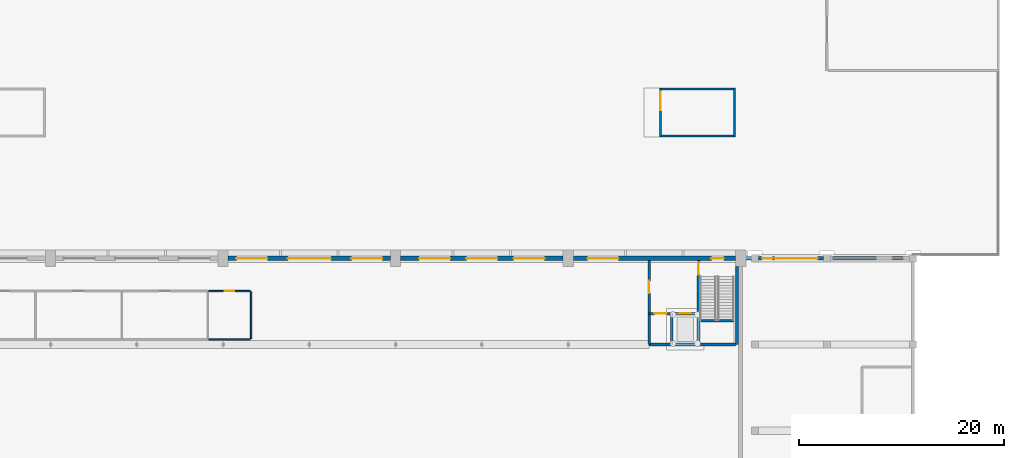
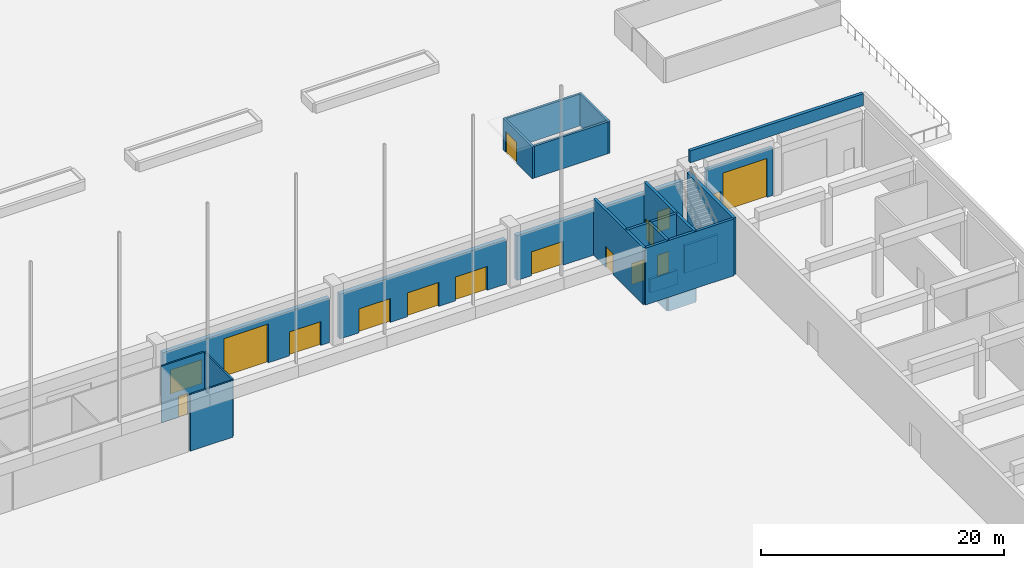
# One storey, part 122 of 210: 23 walls, 16 doors, 16 openings.
"""IFC4 building model written with IfcOpenShell, lengths in metres."""

from ifc_helpers import new_model, si_unit, direction, frame, frame_2d, origin, place, context, subcontext, project, spatial, rectangle, extrude, material, layer, layer_set, type_object, element, fill, save


model = new_model("IFC4")

# Units and contexts
model_context = context("Model", 3, precision=1e-05, world=origin(), true_north=direction((0.0, 1.0)))
body_context = subcontext(model_context, "Body", "Model", "MODEL_VIEW")
ifc_project = project(units=[si_unit("LENGTHUNIT", "METRE"), si_unit("AREAUNIT", "SQUARE_METRE"), si_unit("VOLUMEUNIT", "CUBIC_METRE"), si_unit("PLANEANGLEUNIT", "RADIAN"), si_unit("MASSUNIT", "GRAM", prefix="KILO")], contexts=[model_context])

# Site, building, storey
site_placement = place(None, origin())
site = spatial("IfcSite", under=ifc_project, at=site_placement, CompositionType="ELEMENT")
building_placement = place(site_placement, origin())
building = spatial("IfcBuilding", under=site, at=building_placement, Name="Rain Tree Exposition and Congress Centre", CompositionType="ELEMENT")
storey_placement = place(building_placement, origin())
storey = spatial("IfcBuildingStorey", under=building, at=storey_placement, Name="L00", CompositionType="ELEMENT", Elevation=0.0)

# Wall
ifc_material_1 = material(Name="Concrete C40/50", Category="concrete")
ifc_layer_1 = layer(ifc_material_1, 0.300048828125)
ifc_layer_set_1 = layer_set([ifc_layer_1], Name="Concrete C40/50")
wall_type_1 = type_object("IfcWallType", Name="Core gable pier wall 300", PredefinedType="SHEAR", material=ifc_layer_set_1)
wall_1_placement = place(storey_placement, frame((243.25, 200.800048828125, 0.0), z_axis=(0.0, 0.0, 1.0), x_axis=(0.0, -1.0, 0.0)))
element("IfcWall", 1, at=wall_1_placement, inside=storey, type_object=wall_type_1, Name="Gable pier wall 8", PredefinedType="SHEAR", context=body_context, shape_type="SweptSolid", body=[
    extrude(rectangle(XDim=7.60009765625, YDim=0.300048828125, at=frame_2d((3.800048828125, 0.0))), origin(), (0.0, 0.0, 1.0), 5.699951171875),
])

# Wall, opening, door
ifc_material_2 = material(Name="Concrete C40/50", Category="concrete")
ifc_layer_2 = layer(ifc_material_2, 0.25)
ifc_layer_set_2 = layer_set([ifc_layer_2], Name="Concrete C40/50")
wall_type_2 = type_object("IfcWallType", Name="Core wall 250", PredefinedType="SHEAR", material=ifc_layer_set_2)
wall_2_placement = place(storey_placement, frame((239.5, 201.39990234375, 0.0), z_axis=(0.0, 0.0, 1.0), x_axis=(0.0, -1.0, 0.0)))
wall_2 = element("IfcWall", 2, at=wall_2_placement, inside=storey, type_object=wall_type_2, Name="Stair wall 8", PredefinedType="SHEAR", context=body_context, shape_type="SweptSolid", body=[
    extrude(rectangle(XDim=8.199951171875, YDim=0.25, at=frame_2d((4.10009765625, 0.0))), origin(), (0.0, 0.0, 1.0), 5.699951171875),
])
opening_1_placement = place(wall_2_placement, frame((0.199951171875, 0.0, 0.0)))
opening_1 = element("IfcOpeningElement", 3, at=opening_1_placement, cuts=wall_2, Name="Opening DH237", PredefinedType="OPENING", context=body_context, shape_type="SweptSolid", body=[
    extrude(rectangle(XDim=1.199951171875, YDim=2.10009765625, at=frame_2d((0.60009765625, 1.050048828125))), frame((0.0, 0.125, 0.0), z_axis=(0.0, -1.0, 0.0), x_axis=(1.0, 0.0, 0.0)), (0.0, 0.0, 1.0), 0.25),
])
ifc_material_3 = material(Name="Painted steel fire door", Category="steel")
door_type_1 = type_object("IfcDoorType", Name="Stair fire door 1200x2100", OperationType="NOTDEFINED", PredefinedType="DOOR", material=ifc_material_3)
door_1_placement = place(opening_1_placement, origin())
door_1 = element("IfcDoor", 4, at=door_1_placement, inside=storey, type_object=door_type_1, Name="Door DH237", OperationType="SINGLE_SWING_LEFT", OverallHeight=2.10009765625, OverallWidth=1.199951171875, PredefinedType="DOOR", context=body_context, shape_type="SweptSolid", body=[
    extrude(rectangle(XDim=1.199951171875, YDim=2.10009765625, at=frame_2d((0.60009765625, 1.050048828125))), frame((0.0, 0.02490234375, 0.0), z_axis=(0.0, -1.0, 0.0), x_axis=(1.0, 0.0, 0.0)), (0.0, 0.0, 1.0), 0.050048828125),
])
fill(opening_1, door_1)

# Wall
wall_3_placement = place(storey_placement, frame((243.10009765625, 193.199951171875, 0.0), z_axis=(0.0, 0.0, 1.0), x_axis=(-1.0, 0.0, 0.0)))
element("IfcWall", 5, at=wall_3_placement, inside=storey, type_object=wall_type_2, Name="Core north wall 8", PredefinedType="SHEAR", context=body_context, shape_type="SweptSolid", body=[
    extrude(rectangle(XDim=8.400146484375, YDim=0.25, at=frame_2d((4.2001953125, 0.0))), origin(), (0.0, 0.0, 1.0), 5.699951171875),
])

# Wall, opening, door
wall_4_placement = place(storey_placement, frame((234.699951171875, 201.39990234375, 0.0), z_axis=(0.0, 0.0, 1.0), x_axis=(0.0, -1.0, 0.0)))
wall_4 = element("IfcWall", 6, at=wall_4_placement, inside=storey, type_object=wall_type_2, Name="Core east wall 8", PredefinedType="SHEAR", context=body_context, shape_type="SweptSolid", body=[
    extrude(rectangle(XDim=8.199951171875, YDim=0.25, at=frame_2d((4.10009765625, 0.0))), origin(), (0.0, 0.0, 1.0), 5.699951171875),
])
opening_2_placement = place(wall_4_placement, frame((2.0, 0.0, 0.0)))
opening_2 = element("IfcOpeningElement", 7, at=opening_2_placement, cuts=wall_4, Name="Opening DH238", PredefinedType="OPENING", context=body_context, shape_type="SweptSolid", body=[
    extrude(rectangle(XDim=1.199951171875, YDim=2.10009765625, at=frame_2d((0.60009765625, 1.050048828125))), frame((0.0, 0.125, 0.0), z_axis=(0.0, -1.0, 0.0), x_axis=(1.0, 0.0, 0.0)), (0.0, 0.0, 1.0), 0.25),
])
ifc_material_4 = material(Name="Painted steel fire door", Category="steel")
door_type_2 = type_object("IfcDoorType", Name="Lobby fire door 1200x2100", OperationType="NOTDEFINED", PredefinedType="DOOR", material=ifc_material_4)
door_2_placement = place(opening_2_placement, origin())
door_2 = element("IfcDoor", 8, at=door_2_placement, inside=storey, type_object=door_type_2, Name="Door DH238", OperationType="SINGLE_SWING_LEFT", OverallHeight=2.10009765625, OverallWidth=1.199951171875, PredefinedType="DOOR", context=body_context, shape_type="SweptSolid", body=[
    extrude(rectangle(XDim=1.199951171875, YDim=2.10009765625, at=frame_2d((0.60009765625, 1.050048828125))), frame((0.0, 0.02490234375, 0.0), z_axis=(0.0, -1.0, 0.0), x_axis=(1.0, 0.0, 0.0)), (0.0, 0.0, 1.0), 0.050048828125),
])
fill(opening_2, door_2)

# Wall, openings, doors
wall_5_placement = place(storey_placement, frame((239.5, 196.199951171875, 0.0), z_axis=(0.0, 0.0, 1.0), x_axis=(-1.0, 0.0, 0.0)))
wall_5 = element("IfcWall", 9, at=wall_5_placement, inside=storey, type_object=wall_type_2, Name="Lift lobby wall 8", PredefinedType="SHEAR", context=body_context, shape_type="SweptSolid", body=[
    extrude(rectangle(XDim=4.800048828125, YDim=0.25, at=frame_2d((2.39990234375, 0.0))), origin(), (0.0, 0.0, 1.0), 5.699951171875),
])
opening_3_placement = place(wall_5_placement, frame((0.75, 0.0, 0.0)))
opening_3 = element("IfcOpeningElement", 10, at=opening_3_placement, cuts=wall_5, Name="Opening DH239", PredefinedType="OPENING", context=body_context, shape_type="SweptSolid", body=[
    extrude(rectangle(XDim=1.10009765625, YDim=2.10009765625, at=frame_2d((0.550048828125, 1.050048828125))), frame((0.0, 0.125, 0.0), z_axis=(0.0, -1.0, 0.0), x_axis=(1.0, 0.0, 0.0)), (0.0, 0.0, 1.0), 0.25),
])
opening_4_placement = place(wall_5_placement, frame((3.10009765625, 0.0, 0.0)))
opening_4 = element("IfcOpeningElement", 11, at=opening_4_placement, cuts=wall_5, Name="Opening DH240", PredefinedType="OPENING", context=body_context, shape_type="SweptSolid", body=[
    extrude(rectangle(XDim=1.199951171875, YDim=2.10009765625, at=frame_2d((0.60009765625, 1.050048828125))), frame((0.0, 0.125, 0.0), z_axis=(0.0, -1.0, 0.0), x_axis=(1.0, 0.0, 0.0)), (0.0, 0.0, 1.0), 0.25),
])
ifc_material_5 = material(Name="Stainless steel", Category="steel")
door_type_3 = type_object("IfcDoorType", Name="Lift landing door 1100x2100", OperationType="DOUBLE_DOOR_SLIDING", PredefinedType="DOOR", material=ifc_material_5)
door_3_placement = place(opening_3_placement, origin())
door_3 = element("IfcDoor", 12, at=door_3_placement, inside=storey, type_object=door_type_3, Name="Door DH239", OperationType="DOUBLE_DOOR_SLIDING", OverallHeight=2.10009765625, OverallWidth=1.10009765625, PredefinedType="DOOR", context=body_context, shape_type="SweptSolid", body=[
    extrude(rectangle(XDim=1.10009765625, YDim=2.10009765625, at=frame_2d((0.550048828125, 1.050048828125))), frame((0.0, 0.02490234375, 0.0), z_axis=(0.0, -1.0, 0.0), x_axis=(1.0, 0.0, 0.0)), (0.0, 0.0, 1.0), 0.050048828125),
])
fill(opening_3, door_3)
ifc_material_6 = material(Name="Painted steel fire door", Category="steel")
door_type_4 = type_object("IfcDoorType", Name="Plant room fire door 1200x2100", OperationType="NOTDEFINED", PredefinedType="DOOR", material=ifc_material_6)
door_4_placement = place(opening_4_placement, origin())
door_4 = element("IfcDoor", 13, at=door_4_placement, inside=storey, type_object=door_type_4, Name="Door DH240", OperationType="SINGLE_SWING_RIGHT", OverallHeight=2.10009765625, OverallWidth=1.199951171875, PredefinedType="DOOR", context=body_context, shape_type="SweptSolid", body=[
    extrude(rectangle(XDim=1.199951171875, YDim=2.10009765625, at=frame_2d((0.60009765625, 1.050048828125))), frame((0.0, 0.02490234375, 0.0), z_axis=(0.0, -1.0, 0.0), x_axis=(1.0, 0.0, 0.0)), (0.0, 0.0, 1.0), 0.050048828125),
])
fill(opening_4, door_4)

# Walls
wall_6_placement = place(storey_placement, frame((236.89990234375, 196.199951171875, 0.0), z_axis=(0.0, 0.0, 1.0), x_axis=(0.0, -1.0, 0.0)))
element("IfcWall", 14, at=wall_6_placement, inside=storey, type_object=wall_type_2, Name="Lift shaft wall 8", PredefinedType="SHEAR", context=body_context, shape_type="SweptSolid", body=[
    extrude(rectangle(XDim=3.0, YDim=0.25, at=frame_2d((1.5, 0.0))), origin(), (0.0, 0.0, 1.0), 5.699951171875),
])
wall_7_placement = place(storey_placement, frame((242.949951171875, 195.5, 0.0), z_axis=(0.0, 0.0, 1.0), x_axis=(-1.0, 0.0, 0.0)))
element("IfcWall", 15, at=wall_7_placement, inside=storey, type_object=wall_type_2, Name="Stair landing wall 8", PredefinedType="SHEAR", context=body_context, shape_type="SweptSolid", body=[
    extrude(rectangle(XDim=3.199951171875, YDim=0.25, at=frame_2d((1.60009765625, 0.0))), origin(), (0.0, 0.0, 1.0), 2.800048828125),
])

# Wall, opening, door
ifc_material_7 = material(Name="Concrete C40/50", Category="concrete")
ifc_layer_3 = layer(ifc_material_7, 0.199951171875)
ifc_layer_set_3 = layer_set([ifc_layer_3], Name="Concrete C40/50")
wall_type_3 = type_object("IfcWallType", Name="Exit stair wall 200", PredefinedType="PARTITIONING", material=ifc_layer_set_3)
wall_8_placement = place(storey_placement, frame((235.800048828125, 213.39990234375, 0.0), z_axis=(0.0, 0.0, 1.0), x_axis=(0.0, 1.0, 0.0)))
wall_8 = element("IfcWall", 16, at=wall_8_placement, inside=storey, type_object=wall_type_3, Name="Exit stair N04 wall west", PredefinedType="SOLIDWALL", context=body_context, shape_type="SweptSolid", body=[
    extrude(rectangle(XDim=4.800048828125, YDim=0.199951171875, at=frame_2d((2.39990234375, 0.0))), origin(), (0.0, 0.0, 1.0), 3.199951171875),
])
opening_5_placement = place(wall_8_placement, frame((2.60009765625, 0.0, 0.0)))
opening_5 = element("IfcOpeningElement", 17, at=opening_5_placement, cuts=wall_8, Name="Opening DS146", PredefinedType="OPENING", context=body_context, shape_type="SweptSolid", body=[
    extrude(rectangle(XDim=1.800048828125, YDim=2.10009765625, at=frame_2d((0.89990234375, 1.050048828125))), frame((0.0, 0.10009765625, 0.0), z_axis=(0.0, -1.0, 0.0), x_axis=(1.0, 0.0, 0.0)), (0.0, 0.0, 1.0), 0.199951171875),
])
ifc_material_8 = material(Name="Powder-coated steel", Category="steel")
door_type_5 = type_object("IfcDoorType", Name="Exit stair deck door 1800x2100", OperationType="NOTDEFINED", PredefinedType="DOOR", material=ifc_material_8)
door_5_placement = place(opening_5_placement, origin())
door_5 = element("IfcDoor", 18, at=door_5_placement, inside=storey, type_object=door_type_5, Name="Exit stair N04 door L00", OperationType="SINGLE_SWING_LEFT", OverallHeight=2.10009765625, OverallWidth=1.800048828125, PredefinedType="DOOR", context=body_context, shape_type="SweptSolid", body=[
    extrude(rectangle(XDim=1.800048828125, YDim=2.10009765625, at=frame_2d((0.89990234375, 1.050048828125))), frame((0.0, 0.02490234375, 0.0), z_axis=(0.0, -1.0, 0.0), x_axis=(1.0, 0.0, 0.0)), (0.0, 0.0, 1.0), 0.050048828125),
])
fill(opening_5, door_5)

# Walls
wall_9_placement = place(storey_placement, frame((243.0, 213.39990234375, 0.0), z_axis=(0.0, 0.0, 1.0), x_axis=(0.0, 1.0, 0.0)))
element("IfcWall", 19, at=wall_9_placement, inside=storey, type_object=wall_type_3, Name="Exit stair N04 wall east", PredefinedType="SOLIDWALL", context=body_context, shape_type="SweptSolid", body=[
    extrude(rectangle(XDim=4.800048828125, YDim=0.199951171875, at=frame_2d((2.39990234375, 0.0))), origin(), (0.0, 0.0, 1.0), 3.199951171875),
])
for number, where, z_axis, x_axis, name in (
    (20, (235.89990234375, 213.5, 0.0), (0.0, 0.0, 1.0), (1.0, 0.0, 0.0), "Exit stair N04 wall south"),
    (21, (235.89990234375, 218.10009765625, 0.0), (0.0, 0.0, 1.0), (1.0, 0.0, 0.0), "Exit stair N04 wall north"),
):
    element("IfcWall", number, at=place(storey_placement, frame(where, z_axis=z_axis, x_axis=x_axis)), inside=storey, type_object=wall_type_3, Name=name, PredefinedType="SOLIDWALL", context=body_context, shape_type="SweptSolid", body=[
        extrude(rectangle(XDim=7.0, YDim=0.199951171875, at=frame_2d((3.5, 0.0))), origin(), (0.0, 0.0, 1.0), 3.199951171875),
    ])

# Wall, openings, doors
ifc_material_9 = material(Name="Precast concrete C50/60", Category="concrete")
ifc_layer_4 = layer(ifc_material_9, 0.39990234375)
ifc_layer_set_4 = layer_set([ifc_layer_4], Name="Precast concrete C50/60")
wall_type_4 = type_object("IfcWallType", Name="Hall precast wall 400", PredefinedType="STANDARD", material=ifc_layer_set_4)
wall_10_placement = place(storey_placement, frame((193.699951171875, 201.60009765625, 0.0), z_axis=(0.0, 0.0, 1.0), x_axis=(1.0, 0.0, 0.0)))
wall_10 = element("IfcWall", 22, at=wall_10_placement, inside=storey, type_object=wall_type_4, Name="Cladding wall N4", PredefinedType="STANDARD", context=body_context, shape_type="SweptSolid", body=[
    extrude(rectangle(XDim=15.800048828125, YDim=0.39990234375, at=frame_2d((7.89990234375, 0.0))), origin(), (0.0, 0.0, 1.0), 4.5),
])
opening_6_placement = place(wall_10_placement, frame((5.800048828125, 0.0, 0.0)))
opening_6 = element("IfcOpeningElement", 23, at=opening_6_placement, cuts=wall_10, Name="Opening DH154", PredefinedType="OPENING", context=body_context, shape_type="SweptSolid", body=[
    extrude(rectangle(XDim=4.199951171875, YDim=3.89990234375, at=frame_2d((2.10009765625, 1.949951171875))), frame((0.0, 0.199951171875, 0.0), z_axis=(0.0, -1.0, 0.0), x_axis=(1.0, 0.0, 0.0)), (0.0, 0.0, 1.0), 0.39990234375),
])
opening_7_placement = place(wall_10_placement, frame((0.800048828125, 0.0, 0.0)))
opening_7 = element("IfcOpeningElement", 24, at=opening_7_placement, cuts=wall_10, Name="Opening DH155", PredefinedType="OPENING", context=body_context, shape_type="SweptSolid", body=[
    extrude(rectangle(XDim=3.0, YDim=2.39990234375, at=frame_2d((1.5, 1.199951171875))), frame((0.0, 0.199951171875, 0.0), z_axis=(0.0, -1.0, 0.0), x_axis=(1.0, 0.0, 0.0)), (0.0, 0.0, 1.0), 0.39990234375),
])
opening_8_placement = place(wall_10_placement, frame((12.0, 0.0, 0.0)))
opening_8 = element("IfcOpeningElement", 25, at=opening_8_placement, cuts=wall_10, Name="Opening DH156", PredefinedType="OPENING", context=body_context, shape_type="SweptSolid", body=[
    extrude(rectangle(XDim=3.0, YDim=2.39990234375, at=frame_2d((1.5, 1.199951171875))), frame((0.0, 0.199951171875, 0.0), z_axis=(0.0, -1.0, 0.0), x_axis=(1.0, 0.0, 0.0)), (0.0, 0.0, 1.0), 0.39990234375),
])
ifc_material_10 = material(Name="Aluminium and glass", Category="aluminium")
door_type_6 = type_object("IfcDoorType", Name="Double glazed entrance door 3000x2400", OperationType="DOUBLE_DOOR_SINGLE_SWING", PredefinedType="DOOR", material=ifc_material_10)
door_6_placement = place(opening_7_placement, origin())
door_6 = element("IfcDoor", 26, at=door_6_placement, inside=storey, type_object=door_type_6, Name="Door DH155", OperationType="DOUBLE_DOOR_SINGLE_SWING", OverallHeight=2.39990234375, OverallWidth=3.0, PredefinedType="DOOR", context=body_context, shape_type="SweptSolid", body=[
    extrude(rectangle(XDim=3.0, YDim=2.39990234375, at=frame_2d((1.5, 1.199951171875))), frame((0.0, 0.02490234375, 0.0), z_axis=(0.0, -1.0, 0.0), x_axis=(1.0, 0.0, 0.0)), (0.0, 0.0, 1.0), 0.050048828125),
])
fill(opening_7, door_6)
door_7_placement = place(opening_8_placement, origin())
door_7 = element("IfcDoor", 27, at=door_7_placement, inside=storey, type_object=door_type_6, Name="Door DH156", OperationType="DOUBLE_DOOR_SINGLE_SWING", OverallHeight=2.39990234375, OverallWidth=3.0, PredefinedType="DOOR", context=body_context, shape_type="SweptSolid", body=[
    extrude(rectangle(XDim=3.0, YDim=2.39990234375, at=frame_2d((1.5, 1.199951171875))), frame((0.0, 0.02490234375, 0.0), z_axis=(0.0, -1.0, 0.0), x_axis=(1.0, 0.0, 0.0)), (0.0, 0.0, 1.0), 0.050048828125),
])
fill(opening_8, door_7)
ifc_material_11 = material(Name="Galvanised steel sectional door", Category="steel")
door_type_7 = type_object("IfcDoorType", Name="Sectional overhead dock door 4200x3900", OperationType="ROLLINGUP", PredefinedType="DOOR", material=ifc_material_11)
door_8_placement = place(opening_6_placement, origin())
door_8 = element("IfcDoor", 28, at=door_8_placement, inside=storey, type_object=door_type_7, Name="Door DH154", OperationType="ROLLINGUP", OverallHeight=3.89990234375, OverallWidth=4.199951171875, PredefinedType="DOOR", context=body_context, shape_type="SweptSolid", body=[
    extrude(rectangle(XDim=4.199951171875, YDim=3.89990234375, at=frame_2d((2.10009765625, 1.949951171875))), frame((0.0, 0.02490234375, 0.0), z_axis=(0.0, -1.0, 0.0), x_axis=(1.0, 0.0, 0.0)), (0.0, 0.0, 1.0), 0.050048828125),
])
fill(opening_6, door_8)

wall_11_placement = place(storey_placement, frame((210.5, 201.60009765625, 0.0), z_axis=(0.0, 0.0, 1.0), x_axis=(1.0, 0.0, 0.0)))
wall_11 = element("IfcWall", 29, at=wall_11_placement, inside=storey, type_object=wall_type_4, Name="Cladding wall N5", PredefinedType="STANDARD", context=body_context, shape_type="SweptSolid", body=[
    extrude(rectangle(XDim=15.800048828125, YDim=0.39990234375, at=frame_2d((7.89990234375, 0.0))), origin(), (0.0, 0.0, 1.0), 4.5),
])
opening_9_placement = place(wall_11_placement, frame((1.800048828125, 0.0, 0.0)))
opening_9 = element("IfcOpeningElement", 30, at=opening_9_placement, cuts=wall_11, Name="Opening DH157", PredefinedType="OPENING", context=body_context, shape_type="SweptSolid", body=[
    extrude(rectangle(XDim=3.0, YDim=2.39990234375, at=frame_2d((1.5, 1.199951171875))), frame((0.0, 0.199951171875, 0.0), z_axis=(0.0, -1.0, 0.0), x_axis=(1.0, 0.0, 0.0)), (0.0, 0.0, 1.0), 0.39990234375),
])
opening_10_placement = place(wall_11_placement, frame((6.39990234375, 0.0, 0.0)))
opening_10 = element("IfcOpeningElement", 31, at=opening_10_placement, cuts=wall_11, Name="Opening DH158", PredefinedType="OPENING", context=body_context, shape_type="SweptSolid", body=[
    extrude(rectangle(XDim=3.0, YDim=2.39990234375, at=frame_2d((1.5, 1.199951171875))), frame((0.0, 0.199951171875, 0.0), z_axis=(0.0, -1.0, 0.0), x_axis=(1.0, 0.0, 0.0)), (0.0, 0.0, 1.0), 0.39990234375),
])
opening_11_placement = place(wall_11_placement, frame((11.0, 0.0, 0.0)))
opening_11 = element("IfcOpeningElement", 32, at=opening_11_placement, cuts=wall_11, Name="Opening DH159", PredefinedType="OPENING", context=body_context, shape_type="SweptSolid", body=[
    extrude(rectangle(XDim=3.0, YDim=2.39990234375, at=frame_2d((1.5, 1.199951171875))), frame((0.0, 0.199951171875, 0.0), z_axis=(0.0, -1.0, 0.0), x_axis=(1.0, 0.0, 0.0)), (0.0, 0.0, 1.0), 0.39990234375),
])
door_9_placement = place(opening_9_placement, origin())
door_9 = element("IfcDoor", 33, at=door_9_placement, inside=storey, type_object=door_type_6, Name="Door DH157", OperationType="DOUBLE_DOOR_SINGLE_SWING", OverallHeight=2.39990234375, OverallWidth=3.0, PredefinedType="DOOR", context=body_context, shape_type="SweptSolid", body=[
    extrude(rectangle(XDim=3.0, YDim=2.39990234375, at=frame_2d((1.5, 1.199951171875))), frame((0.0, 0.02490234375, 0.0), z_axis=(0.0, -1.0, 0.0), x_axis=(1.0, 0.0, 0.0)), (0.0, 0.0, 1.0), 0.050048828125),
])
fill(opening_9, door_9)
door_10_placement = place(opening_10_placement, origin())
door_10 = element("IfcDoor", 34, at=door_10_placement, inside=storey, type_object=door_type_6, Name="Door DH158", OperationType="DOUBLE_DOOR_SINGLE_SWING", OverallHeight=2.39990234375, OverallWidth=3.0, PredefinedType="DOOR", context=body_context, shape_type="SweptSolid", body=[
    extrude(rectangle(XDim=3.0, YDim=2.39990234375, at=frame_2d((1.5, 1.199951171875))), frame((0.0, 0.02490234375, 0.0), z_axis=(0.0, -1.0, 0.0), x_axis=(1.0, 0.0, 0.0)), (0.0, 0.0, 1.0), 0.050048828125),
])
fill(opening_10, door_10)
door_11_placement = place(opening_11_placement, origin())
door_11 = element("IfcDoor", 35, at=door_11_placement, inside=storey, type_object=door_type_6, Name="Door DH159", OperationType="DOUBLE_DOOR_SINGLE_SWING", OverallHeight=2.39990234375, OverallWidth=3.0, PredefinedType="DOOR", context=body_context, shape_type="SweptSolid", body=[
    extrude(rectangle(XDim=3.0, YDim=2.39990234375, at=frame_2d((1.5, 1.199951171875))), frame((0.0, 0.02490234375, 0.0), z_axis=(0.0, -1.0, 0.0), x_axis=(1.0, 0.0, 0.0)), (0.0, 0.0, 1.0), 0.050048828125),
])
fill(opening_11, door_11)

wall_12_placement = place(storey_placement, frame((227.300048828125, 201.60009765625, 0.0), z_axis=(0.0, 0.0, 1.0), x_axis=(1.0, 0.0, 0.0)))
wall_12 = element("IfcWall", 36, at=wall_12_placement, inside=storey, type_object=wall_type_4, Name="Cladding wall N6", PredefinedType="STANDARD", context=body_context, shape_type="SweptSolid", body=[
    extrude(rectangle(XDim=15.800048828125, YDim=0.39990234375, at=frame_2d((7.89990234375, 0.0))), origin(), (0.0, 0.0, 1.0), 4.5),
])
opening_12_placement = place(wall_12_placement, frame((13.46240234375, 0.0, 0.0)))
opening_12 = element("IfcOpeningElement", 37, at=opening_12_placement, cuts=wall_12, Name="Opening DH160", PredefinedType="OPENING", context=body_context, shape_type="SweptSolid", body=[
    extrude(rectangle(XDim=1.199951171875, YDim=2.10009765625, at=frame_2d((0.60009765625, 1.050048828125))), frame((0.0, 0.199951171875, 0.0), z_axis=(0.0, -1.0, 0.0), x_axis=(1.0, 0.0, 0.0)), (0.0, 0.0, 1.0), 0.39990234375),
])
opening_13_placement = place(wall_12_placement, frame((1.39990234375, 0.0, 0.0)))
opening_13 = element("IfcOpeningElement", 38, at=opening_13_placement, cuts=wall_12, Name="Opening DH161", PredefinedType="OPENING", context=body_context, shape_type="SweptSolid", body=[
    extrude(rectangle(XDim=3.0, YDim=2.39990234375, at=frame_2d((1.5, 1.199951171875))), frame((0.0, 0.199951171875, 0.0), z_axis=(0.0, -1.0, 0.0), x_axis=(1.0, 0.0, 0.0)), (0.0, 0.0, 1.0), 0.39990234375),
])
door_12_placement = place(opening_13_placement, origin())
door_12 = element("IfcDoor", 39, at=door_12_placement, inside=storey, type_object=door_type_6, Name="Door DH161", OperationType="DOUBLE_DOOR_SINGLE_SWING", OverallHeight=2.39990234375, OverallWidth=3.0, PredefinedType="DOOR", context=body_context, shape_type="SweptSolid", body=[
    extrude(rectangle(XDim=3.0, YDim=2.39990234375, at=frame_2d((1.5, 1.199951171875))), frame((0.0, 0.02490234375, 0.0), z_axis=(0.0, -1.0, 0.0), x_axis=(1.0, 0.0, 0.0)), (0.0, 0.0, 1.0), 0.050048828125),
])
fill(opening_13, door_12)
door_13_placement = place(opening_12_placement, origin())
door_13 = element("IfcDoor", 40, at=door_13_placement, inside=storey, type_object=door_type_1, Name="Door DH160", OperationType="SINGLE_SWING_RIGHT", OverallHeight=2.10009765625, OverallWidth=1.199951171875, PredefinedType="DOOR", context=body_context, shape_type="SweptSolid", body=[
    extrude(rectangle(XDim=1.199951171875, YDim=2.10009765625, at=frame_2d((0.60009765625, 1.050048828125))), frame((0.0, 0.02490234375, 0.0), z_axis=(0.0, -1.0, 0.0), x_axis=(1.0, 0.0, 0.0)), (0.0, 0.0, 1.0), 0.050048828125),
])
fill(opening_12, door_13)

# Walls
ifc_material_12 = material(Name="Concrete C40/50", Category="concrete")
ifc_layer_5 = layer(ifc_material_12, 0.25)
ifc_layer_set_5 = layer_set([ifc_layer_5], Name="Concrete C40/50")
wall_type_5 = type_object("IfcWallType", Name="Lift pit wall 250", PredefinedType="SHEAR", material=ifc_layer_set_5)
for number, where, z_axis, x_axis, name in (
    (41, (239.5, 196.199951171875, -1.39990234375), (0.0, 0.0, 1.0), (0.0, -1.0, 0.0), "Lift pit wall 8.1"),
    (42, (236.89990234375, 196.199951171875, -1.39990234375), (0.0, 0.0, 1.0), (0.0, -1.0, 0.0), "Lift pit wall 8.2"),
):
    element("IfcWall", number, at=place(storey_placement, frame(where, z_axis=z_axis, x_axis=x_axis)), inside=storey, type_object=wall_type_5, Name=name, PredefinedType="SHEAR", context=body_context, shape_type="SweptSolid", body=[
        extrude(rectangle(XDim=3.0, YDim=0.25, at=frame_2d((1.5, 0.0))), origin(), (0.0, 0.0, 1.0), 1.39990234375),
    ])
for number, where, z_axis, x_axis, name in (
    (43, (239.5, 196.199951171875, -1.39990234375), (0.0, 0.0, 1.0), (-1.0, 0.0, 0.0), "Lift pit wall 8.3"),
    (44, (239.5, 193.199951171875, -1.39990234375), (0.0, 0.0, 1.0), (-1.0, 0.0, 0.0), "Lift pit wall 8.4"),
):
    element("IfcWall", number, at=place(storey_placement, frame(where, z_axis=z_axis, x_axis=x_axis)), inside=storey, type_object=wall_type_5, Name=name, PredefinedType="SHEAR", context=body_context, shape_type="SweptSolid", body=[
        extrude(rectangle(XDim=2.60009765625, YDim=0.25, at=frame_2d((1.300048828125, 0.0))), origin(), (0.0, 0.0, 1.0), 1.39990234375),
    ])

# Wall, openings, doors
ifc_material_13 = material(Name="Precast concrete C50/60", Category="concrete")
ifc_layer_6 = layer(ifc_material_13, 0.300048828125)
ifc_layer_set_6 = layer_set([ifc_layer_6], Name="Precast concrete C50/60")
wall_type_6 = type_object("IfcWallType", Name="Service block precast wall 300", PredefinedType="SOLIDWALL", material=ifc_layer_set_6)
wall_13_placement = place(storey_placement, frame((245.35009765625, 201.60009765625, 0.0), z_axis=(0.0, 0.0, 1.0), x_axis=(1.0, 0.0, 0.0)))
wall_13 = element("IfcWall", 45, at=wall_13_placement, inside=storey, type_object=wall_type_6, Name="Service block north wall 1", PredefinedType="SOLIDWALL", context=body_context, shape_type="SweptSolid", body=[
    extrude(rectangle(XDim=6.2998046875, YDim=0.300048828125, at=frame_2d((3.14990234375, 0.0))), origin(), (0.0, 0.0, 1.0), 4.800048828125),
])
opening_14_placement = place(wall_13_placement, frame((0.35009765625, 0.0, 0.0)))
opening_14 = element("IfcOpeningElement", 46, at=opening_14_placement, cuts=wall_13, Name="Opening DH171", PredefinedType="OPENING", context=body_context, shape_type="SweptSolid", body=[
    extrude(rectangle(XDim=1.0, YDim=2.10009765625, at=frame_2d((0.5, 1.050048828125))), frame((0.0, 0.14990234375, 0.0), z_axis=(0.0, -1.0, 0.0), x_axis=(1.0, 0.0, 0.0)), (0.0, 0.0, 1.0), 0.300048828125),
])
opening_15_placement = place(wall_13_placement, frame((1.550048828125, 0.0, 0.0)))
opening_15 = element("IfcOpeningElement", 47, at=opening_15_placement, cuts=wall_13, Name="Opening DH172", PredefinedType="OPENING", context=body_context, shape_type="SweptSolid", body=[
    extrude(rectangle(XDim=4.199951171875, YDim=3.89990234375, at=frame_2d((2.10009765625, 1.949951171875))), frame((0.0, 0.14990234375, 0.0), z_axis=(0.0, -1.0, 0.0), x_axis=(1.0, 0.0, 0.0)), (0.0, 0.0, 1.0), 0.300048828125),
])
door_14_placement = place(opening_15_placement, origin())
door_14 = element("IfcDoor", 48, at=door_14_placement, inside=storey, type_object=door_type_7, Name="Door DH172", OperationType="ROLLINGUP", OverallHeight=3.89990234375, OverallWidth=4.199951171875, PredefinedType="DOOR", context=body_context, shape_type="SweptSolid", body=[
    extrude(rectangle(XDim=4.199951171875, YDim=3.89990234375, at=frame_2d((2.10009765625, 1.949951171875))), frame((0.0, 0.02490234375, 0.0), z_axis=(0.0, -1.0, 0.0), x_axis=(1.0, 0.0, 0.0)), (0.0, 0.0, 1.0), 0.050048828125),
])
fill(opening_15, door_14)
ifc_material_14 = material(Name="Painted steel door", Category="steel")
door_type_8 = type_object("IfcDoorType", Name="Single leaf door 1000x2100", OperationType="NOTDEFINED", PredefinedType="DOOR", material=ifc_material_14)
door_15_placement = place(opening_14_placement, origin())
door_15 = element("IfcDoor", 49, at=door_15_placement, inside=storey, type_object=door_type_8, Name="Door DH171", OperationType="SINGLE_SWING_LEFT", OverallHeight=2.10009765625, OverallWidth=1.0, PredefinedType="DOOR", context=body_context, shape_type="SweptSolid", body=[
    extrude(rectangle(XDim=1.0, YDim=2.10009765625, at=frame_2d((0.5, 1.050048828125))), frame((0.0, 0.02490234375, 0.0), z_axis=(0.0, -1.0, 0.0), x_axis=(1.0, 0.0, 0.0)), (0.0, 0.0, 1.0), 0.050048828125),
])
fill(opening_14, door_15)

# Walls
ifc_material_15 = material(Name="Precast concrete C50/60", Category="concrete")
ifc_layer_7 = layer(ifc_material_15, 0.300048828125)
ifc_layer_set_7 = layer_set([ifc_layer_7], Name="Precast concrete C50/60")
wall_type_7 = type_object("IfcWallType", Name="Service roof parapet 300", PredefinedType="PARAPET", material=ifc_layer_set_7)
wall_14_placement = place(storey_placement, frame((243.800048828125, 201.60009765625, 6.0), z_axis=(0.0, 0.0, 1.0), x_axis=(1.0, 0.0, 0.0)))
element("IfcWall", 50, at=wall_14_placement, inside=storey, type_object=wall_type_7, Name="Service roof parapet north", PredefinedType="PARAPET", context=body_context, shape_type="SweptSolid", body=[
    extrude(rectangle(XDim=16.449951171875, YDim=0.300048828125, at=frame_2d((8.22509765625, 0.0))), origin(), (0.0, 0.0, 1.0), 1.199951171875),
])
ifc_material_16 = material(Name="Concrete C25/30", Category="concrete")
ifc_layer_8 = layer(ifc_material_16, 0.14990234375)
ifc_layer_set_8 = layer_set([ifc_layer_8], Name="Concrete C25/30")
wall_type_8 = type_object("IfcWallType", Name="Visitor room partition 150", PredefinedType="PARTITIONING", material=ifc_layer_set_8)
wall_15_placement = place(storey_placement, frame((191.800048828125, 193.699951171875, 0.0), z_axis=(0.0, 0.0, 1.0), x_axis=(1.0, 0.0, 0.0)))
element("IfcWall", 51, at=wall_15_placement, inside=storey, type_object=wall_type_8, Name="Accessible WC wall S", PredefinedType="PARTITIONING", context=body_context, shape_type="SweptSolid", body=[
    extrude(rectangle(XDim=4.050048828125, YDim=0.14990234375, at=frame_2d((2.02490234375, 0.0))), origin(), (0.0, 0.0, 1.0), 5.699951171875),
])

# Wall, opening, door
wall_16_placement = place(storey_placement, frame((191.800048828125, 198.39990234375, 0.0), z_axis=(0.0, 0.0, 1.0), x_axis=(1.0, 0.0, 0.0)))
wall_16 = element("IfcWall", 52, at=wall_16_placement, inside=storey, type_object=wall_type_8, Name="Accessible WC wall N", PredefinedType="PARTITIONING", context=body_context, shape_type="SweptSolid", body=[
    extrude(rectangle(XDim=4.050048828125, YDim=0.14990234375, at=frame_2d((2.02490234375, 0.0))), origin(), (0.0, 0.0, 1.0), 5.699951171875),
])
opening_16_placement = place(wall_16_placement, frame((1.574951171875, 0.0, 0.0)))
opening_16 = element("IfcOpeningElement", 53, at=opening_16_placement, cuts=wall_16, Name="Opening DH254", PredefinedType="OPENING", context=body_context, shape_type="SweptSolid", body=[
    extrude(rectangle(XDim=0.89990234375, YDim=2.10009765625, at=frame_2d((0.449951171875, 1.050048828125))), frame((0.0, 0.074951171875, 0.0), z_axis=(0.0, -1.0, 0.0), x_axis=(1.0, 0.0, 0.0)), (0.0, 0.0, 1.0), 0.14990234375),
])
ifc_material_17 = material(Name="Painted steel door", Category="steel")
door_type_9 = type_object("IfcDoorType", Name="Toilet door 900x2100", OperationType="NOTDEFINED", PredefinedType="DOOR", material=ifc_material_17)
door_16_placement = place(opening_16_placement, origin())
door_16 = element("IfcDoor", 54, at=door_16_placement, inside=storey, type_object=door_type_9, Name="Door DH254", OperationType="SINGLE_SWING_LEFT", OverallHeight=2.10009765625, OverallWidth=0.89990234375, PredefinedType="DOOR", context=body_context, shape_type="SweptSolid", body=[
    extrude(rectangle(XDim=0.89990234375, YDim=2.10009765625, at=frame_2d((0.449951171875, 1.050048828125))), frame((0.0, 0.02490234375, 0.0), z_axis=(0.0, -1.0, 0.0), x_axis=(1.0, 0.0, 0.0)), (0.0, 0.0, 1.0), 0.050048828125),
])
fill(opening_16, door_16)

# Wall
wall_17_placement = place(storey_placement, frame((195.925048828125, 193.77490234375, 0.0), z_axis=(0.0, 0.0, 1.0), x_axis=(0.0, 1.0, 0.0)))
element("IfcWall", 55, at=wall_17_placement, inside=storey, type_object=wall_type_8, Name="Visitor room party wall 6", PredefinedType="PARTITIONING", context=body_context, shape_type="SweptSolid", body=[
    extrude(rectangle(XDim=4.550048828125, YDim=0.14990234375, at=frame_2d((2.27490234375, 0.0))), origin(), (0.0, 0.0, 1.0), 5.699951171875),
])

save(model, "model.ifc")
